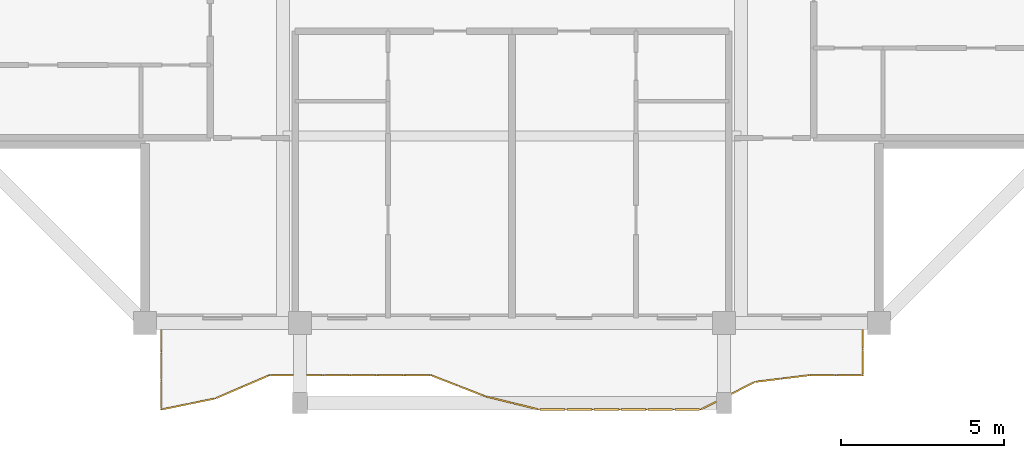
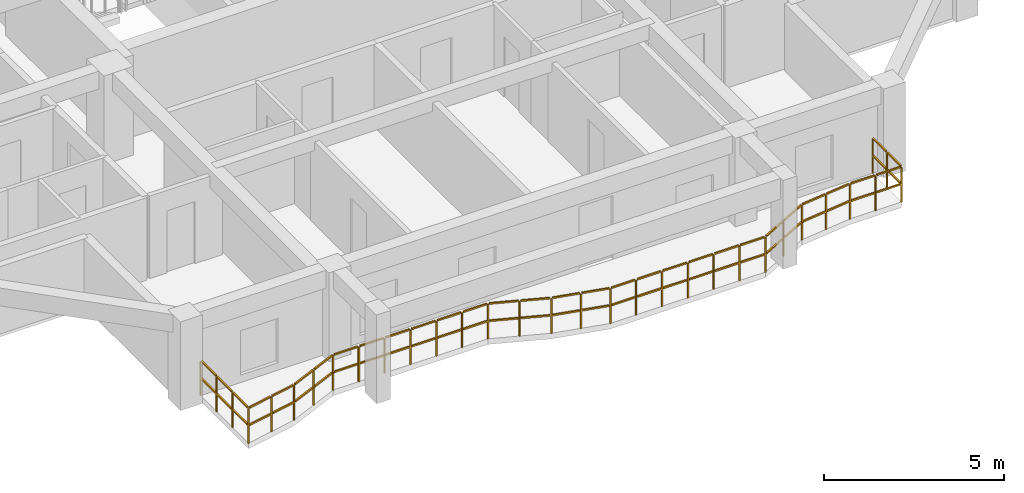
# One storey, part 10 of 14: 1 railing.
"""IFC4 building model written with IfcOpenShell, lengths in metres."""

from ifc_helpers import new_model, si_unit, direction, frame, origin, origin_2d, place, context, subcontext, project, spatial, rectangle, extrude, material, type_object, element, save


model = new_model("IFC4")

# Units and contexts
model_context = context("Model", 3, precision=1e-05, world=origin(), true_north=direction((0.0, 1.0)))
body_context = subcontext(model_context, "Body", "Model", "MODEL_VIEW")
ifc_project = project(units=[si_unit("LENGTHUNIT", "METRE"), si_unit("AREAUNIT", "SQUARE_METRE"), si_unit("VOLUMEUNIT", "CUBIC_METRE"), si_unit("PLANEANGLEUNIT", "RADIAN"), si_unit("MASSUNIT", "GRAM", prefix="KILO")], contexts=[model_context])

# Site, building, storey
site_placement = place(None, origin())
site = spatial("IfcSite", under=ifc_project, at=site_placement, CompositionType="ELEMENT")
building_placement = place(site_placement, origin())
building = spatial("IfcBuilding", under=site, at=building_placement, Name="Saelheon Loggia Tower", CompositionType="ELEMENT")
storey_placement = place(building_placement, frame((0.0, 0.0, 230.10009765625)))
storey = spatial("IfcBuildingStorey", under=building, at=storey_placement, Name="L71", CompositionType="ELEMENT", Elevation=230.10009765625)

# Railing
ifc_material = material(Name="Architectural Precast Concrete and Laminated Glass Guard", Category="concrete")
railing_type = type_object("IfcRailingType", Name="Guard_Loggia_RL_LOG", PredefinedType="BALUSTRADE", material=ifc_material)
railing_placement = place(storey_placement, frame((27.25, 6.0, 0.0)))
element("IfcRailing", 1, at=railing_placement, inside=storey, type_object=railing_type, Name="L71 South Loggia Balustrade", PredefinedType="BALUSTRADE", context=body_context, shape_type="SweptSolid", body=[
    extrude(rectangle(XDim=0.048095703125, YDim=0.048095703125, at=origin_2d()), frame((0.0, -0.033203125, 1.19580078125), z_axis=(0.0, -1.0, 0.0), x_axis=(1.0, 0.0, 0.0)), (0.0, 0.0, 1.0), 0.81689453125),
    extrude(rectangle(XDim=0.048095703125, YDim=0.048095703125, at=origin_2d()), frame((0.0, -0.033203125, 0.60986328125), z_axis=(0.0, -1.0, 0.0), x_axis=(1.0, 0.0, 0.0)), (0.0, 0.0, 1.0), 0.81689453125),
    extrude(rectangle(XDim=0.048095703125, YDim=0.048095703125, at=origin_2d()), frame((0.0, -0.91650390625, 1.19580078125), z_axis=(0.0, -1.0, 0.0), x_axis=(1.0, 0.0, 0.0)), (0.0, 0.0, 1.0), 0.81689453125),
    extrude(rectangle(XDim=0.048095703125, YDim=0.048095703125, at=origin_2d()), frame((0.0, -0.91650390625, 0.60986328125), z_axis=(0.0, -1.0, 0.0), x_axis=(1.0, 0.0, 0.0)), (0.0, 0.0, 1.0), 0.81689453125),
    extrude(rectangle(XDim=0.048095703125, YDim=0.048095703125, at=origin_2d()), frame((0.0, -1.7998046875, 1.19580078125), z_axis=(0.0, -1.0, 0.0), x_axis=(1.0, 0.0, 0.0)), (0.0, 0.0, 1.0), 0.81689453125),
    extrude(rectangle(XDim=0.048095703125, YDim=0.048095703125, at=origin_2d()), frame((0.0, -1.7998046875, 0.60986328125), z_axis=(0.0, -1.0, 0.0), x_axis=(1.0, 0.0, 0.0)), (0.0, 0.0, 1.0), 0.81689453125),
    extrude(rectangle(XDim=0.048095703125, YDim=0.048095703125, at=origin_2d()), frame((0.032470703125, -2.643310546875, 1.19580078125), z_axis=(0.979589560459, 0.201008191473, 0.0), x_axis=(-0.201008191473, 0.979589560459, 0.0)), (0.0, 0.0, 1.0), 0.777587890625),
    extrude(rectangle(XDim=0.048095703125, YDim=0.048095703125, at=origin_2d()), frame((0.032470703125, -2.643310546875, 0.60986328125), z_axis=(0.979589560459, 0.201008191473, 0.0), x_axis=(-0.201008191473, 0.979589560459, 0.0)), (0.0, 0.0, 1.0), 0.777587890625),
    extrude(rectangle(XDim=0.048095703125, YDim=0.048095703125, at=origin_2d()), frame((0.859375, -2.4736328125, 1.19580078125), z_axis=(0.979589560459, 0.201008191473, 0.0), x_axis=(-0.201008191473, 0.979589560459, 0.0)), (0.0, 0.0, 1.0), 0.777587890625),
    extrude(rectangle(XDim=0.048095703125, YDim=0.048095703125, at=origin_2d()), frame((0.859375, -2.4736328125, 0.60986328125), z_axis=(0.979589560459, 0.201008191473, 0.0), x_axis=(-0.201008191473, 0.979589560459, 0.0)), (0.0, 0.0, 1.0), 0.777587890625),
    extrude(rectangle(XDim=0.048095703125, YDim=0.048095703125, at=origin_2d()), frame((1.684326171875, -2.29736328125, 1.19580078125), z_axis=(0.918807939156, 0.39470491629, 0.0), x_axis=(-0.39470491629, 0.918807939156, 0.0)), (0.0, 0.0, 1.0), 0.83349609375),
    extrude(rectangle(XDim=0.048095703125, YDim=0.048095703125, at=origin_2d()), frame((1.684326171875, -2.29736328125, 0.60986328125), z_axis=(0.918807939156, 0.39470491629, 0.0), x_axis=(-0.39470491629, 0.918807939156, 0.0)), (0.0, 0.0, 1.0), 0.83349609375),
    extrude(rectangle(XDim=0.048095703125, YDim=0.048095703125, at=origin_2d()), frame((2.51123046875, -1.942138671875, 1.19580078125), z_axis=(0.918807939156, 0.39470491629, 0.0), x_axis=(-0.39470491629, 0.918807939156, 0.0)), (0.0, 0.0, 1.0), 0.83349609375),
    extrude(rectangle(XDim=0.048095703125, YDim=0.048095703125, at=origin_2d()), frame((2.51123046875, -1.942138671875, 0.60986328125), z_axis=(0.918807939156, 0.39470491629, 0.0), x_axis=(-0.39470491629, 0.918807939156, 0.0)), (0.0, 0.0, 1.0), 0.83349609375),
    extrude(rectangle(XDim=0.048095703125, YDim=0.048095703125, at=origin_2d()), frame((3.3408203125, -1.60009765625, 1.19580078125), z_axis=(1.0, 0.0, 0.0), x_axis=(0.0, 1.0, 0.0)), (0.0, 0.0, 1.0), 0.760498046875),
    extrude(rectangle(XDim=0.048095703125, YDim=0.048095703125, at=origin_2d()), frame((3.3408203125, -1.60009765625, 0.60986328125), z_axis=(1.0, 0.0, 0.0), x_axis=(0.0, 1.0, 0.0)), (0.0, 0.0, 1.0), 0.760498046875),
    extrude(rectangle(XDim=0.048095703125, YDim=0.048095703125, at=origin_2d()), frame((4.167724609375, -1.60009765625, 1.19580078125), z_axis=(1.0, 0.0, 0.0), x_axis=(0.0, 1.0, 0.0)), (0.0, 0.0, 1.0), 0.760498046875),
    extrude(rectangle(XDim=0.048095703125, YDim=0.048095703125, at=origin_2d()), frame((4.167724609375, -1.60009765625, 0.60986328125), z_axis=(1.0, 0.0, 0.0), x_axis=(0.0, 1.0, 0.0)), (0.0, 0.0, 1.0), 0.760498046875),
    extrude(rectangle(XDim=0.048095703125, YDim=0.048095703125, at=origin_2d()), frame((4.99462890625, -1.60009765625, 1.19580078125), z_axis=(1.0, 0.0, 0.0), x_axis=(0.0, 1.0, 0.0)), (0.0, 0.0, 1.0), 0.760498046875),
    extrude(rectangle(XDim=0.048095703125, YDim=0.048095703125, at=origin_2d()), frame((4.99462890625, -1.60009765625, 0.60986328125), z_axis=(1.0, 0.0, 0.0), x_axis=(0.0, 1.0, 0.0)), (0.0, 0.0, 1.0), 0.760498046875),
    extrude(rectangle(XDim=0.048095703125, YDim=0.048095703125, at=origin_2d()), frame((5.82177734375, -1.60009765625, 1.19580078125), z_axis=(1.0, 0.0, 0.0), x_axis=(0.0, 1.0, 0.0)), (0.0, 0.0, 1.0), 0.760498046875),
    extrude(rectangle(XDim=0.048095703125, YDim=0.048095703125, at=origin_2d()), frame((5.82177734375, -1.60009765625, 0.60986328125), z_axis=(1.0, 0.0, 0.0), x_axis=(0.0, 1.0, 0.0)), (0.0, 0.0, 1.0), 0.760498046875),
    extrude(rectangle(XDim=0.048095703125, YDim=0.048095703125, at=origin_2d()), frame((6.648681640625, -1.60009765625, 1.19580078125), z_axis=(1.0, 0.0, 0.0), x_axis=(0.0, 1.0, 0.0)), (0.0, 0.0, 1.0), 0.760498046875),
    extrude(rectangle(XDim=0.048095703125, YDim=0.048095703125, at=origin_2d()), frame((6.648681640625, -1.60009765625, 0.60986328125), z_axis=(1.0, 0.0, 0.0), x_axis=(0.0, 1.0, 0.0)), (0.0, 0.0, 1.0), 0.760498046875),
    extrude(rectangle(XDim=0.048095703125, YDim=0.048095703125, at=origin_2d()), frame((7.4755859375, -1.60009765625, 1.19580078125), z_axis=(1.0, 0.0, 0.0), x_axis=(0.0, 1.0, 0.0)), (0.0, 0.0, 1.0), 0.760498046875),
    extrude(rectangle(XDim=0.048095703125, YDim=0.048095703125, at=origin_2d()), frame((7.4755859375, -1.60009765625, 0.60986328125), z_axis=(1.0, 0.0, 0.0), x_axis=(0.0, 1.0, 0.0)), (0.0, 0.0, 1.0), 0.760498046875),
    extrude(rectangle(XDim=0.048095703125, YDim=0.048095703125, at=origin_2d()), frame((8.30029296875, -1.612060546875, 1.19580078125), z_axis=(0.931880695879, -0.362764894454, 0.0), x_axis=(0.362764894454, 0.931880695879, 0.0)), (0.0, 0.0, 1.0), 0.82080078125),
    extrude(rectangle(XDim=0.048095703125, YDim=0.048095703125, at=origin_2d()), frame((8.30029296875, -1.612060546875, 0.60986328125), z_axis=(0.931880695879, -0.362764894454, 0.0), x_axis=(0.362764894454, 0.931880695879, 0.0)), (0.0, 0.0, 1.0), 0.82080078125),
    extrude(rectangle(XDim=0.048095703125, YDim=0.048095703125, at=origin_2d()), frame((9.127197265625, -1.93408203125, 1.19580078125), z_axis=(0.931880695879, -0.362764894454, 0.0), x_axis=(0.362764894454, 0.931880695879, 0.0)), (0.0, 0.0, 1.0), 0.82080078125),
    extrude(rectangle(XDim=0.048095703125, YDim=0.048095703125, at=origin_2d()), frame((9.127197265625, -1.93408203125, 0.60986328125), z_axis=(0.931880695879, -0.362764894454, 0.0), x_axis=(0.362764894454, 0.931880695879, 0.0)), (0.0, 0.0, 1.0), 0.82080078125),
    extrude(rectangle(XDim=0.048095703125, YDim=0.048095703125, at=origin_2d()), frame((9.955322265625, -2.251708984375, 1.19580078125), z_axis=(0.971162634312, -0.238417989498, 0.0), x_axis=(0.238417989498, 0.971162634312, 0.0)), (0.0, 0.0, 1.0), 0.784912109375),
    extrude(rectangle(XDim=0.048095703125, YDim=0.048095703125, at=origin_2d()), frame((9.955322265625, -2.251708984375, 0.60986328125), z_axis=(0.971162634312, -0.238417989498, 0.0), x_axis=(0.238417989498, 0.971162634312, 0.0)), (0.0, 0.0, 1.0), 0.784912109375),
    extrude(rectangle(XDim=0.048095703125, YDim=0.048095703125, at=origin_2d()), frame((10.7822265625, -2.454833984375, 1.19580078125), z_axis=(0.971162634312, -0.238417989498, 0.0), x_axis=(0.238417989498, 0.971162634312, 0.0)), (0.0, 0.0, 1.0), 0.784912109375),
    extrude(rectangle(XDim=0.048095703125, YDim=0.048095703125, at=origin_2d()), frame((10.7822265625, -2.454833984375, 0.60986328125), z_axis=(0.971162634312, -0.238417989498, 0.0), x_axis=(0.238417989498, 0.971162634312, 0.0)), (0.0, 0.0, 1.0), 0.784912109375),
    extrude(rectangle(XDim=0.048095703125, YDim=0.048095703125, at=origin_2d()), frame((11.610107421875, -2.64990234375, 1.19580078125), z_axis=(1.0, 0.0, 0.0), x_axis=(0.0, 1.0, 0.0)), (0.0, 0.0, 1.0), 0.760498046875),
    extrude(rectangle(XDim=0.048095703125, YDim=0.048095703125, at=origin_2d()), frame((11.610107421875, -2.64990234375, 0.60986328125), z_axis=(1.0, 0.0, 0.0), x_axis=(0.0, 1.0, 0.0)), (0.0, 0.0, 1.0), 0.760498046875),
    extrude(rectangle(XDim=0.048095703125, YDim=0.048095703125, at=origin_2d()), frame((12.43701171875, -2.64990234375, 1.19580078125), z_axis=(1.0, 0.0, 0.0), x_axis=(0.0, 1.0, 0.0)), (0.0, 0.0, 1.0), 0.760498046875),
    extrude(rectangle(XDim=0.048095703125, YDim=0.048095703125, at=origin_2d()), frame((12.43701171875, -2.64990234375, 0.60986328125), z_axis=(1.0, 0.0, 0.0), x_axis=(0.0, 1.0, 0.0)), (0.0, 0.0, 1.0), 0.760498046875),
    extrude(rectangle(XDim=0.048095703125, YDim=0.048095703125, at=origin_2d()), frame((13.263916015625, -2.64990234375, 1.19580078125), z_axis=(1.0, 0.0, 0.0), x_axis=(0.0, 1.0, 0.0)), (0.0, 0.0, 1.0), 0.760498046875),
    extrude(rectangle(XDim=0.048095703125, YDim=0.048095703125, at=origin_2d()), frame((13.263916015625, -2.64990234375, 0.60986328125), z_axis=(1.0, 0.0, 0.0), x_axis=(0.0, 1.0, 0.0)), (0.0, 0.0, 1.0), 0.760498046875),
    extrude(rectangle(XDim=0.048095703125, YDim=0.048095703125, at=origin_2d()), frame((14.0908203125, -2.64990234375, 1.19580078125), z_axis=(1.0, 0.0, 0.0), x_axis=(0.0, 1.0, 0.0)), (0.0, 0.0, 1.0), 0.760498046875),
    extrude(rectangle(XDim=0.048095703125, YDim=0.048095703125, at=origin_2d()), frame((14.0908203125, -2.64990234375, 0.60986328125), z_axis=(1.0, 0.0, 0.0), x_axis=(0.0, 1.0, 0.0)), (0.0, 0.0, 1.0), 0.760498046875),
    extrude(rectangle(XDim=0.048095703125, YDim=0.048095703125, at=origin_2d()), frame((14.917724609375, -2.64990234375, 1.19580078125), z_axis=(1.0, 0.0, 0.0), x_axis=(0.0, 1.0, 0.0)), (0.0, 0.0, 1.0), 0.760498046875),
    extrude(rectangle(XDim=0.048095703125, YDim=0.048095703125, at=origin_2d()), frame((14.917724609375, -2.64990234375, 0.60986328125), z_axis=(1.0, 0.0, 0.0), x_axis=(0.0, 1.0, 0.0)), (0.0, 0.0, 1.0), 0.760498046875),
    extrude(rectangle(XDim=0.048095703125, YDim=0.048095703125, at=origin_2d()), frame((15.744873046875, -2.64990234375, 1.19580078125), z_axis=(1.0, 0.0, 0.0), x_axis=(0.0, 1.0, 0.0)), (0.0, 0.0, 1.0), 0.760498046875),
    extrude(rectangle(XDim=0.048095703125, YDim=0.048095703125, at=origin_2d()), frame((15.744873046875, -2.64990234375, 0.60986328125), z_axis=(1.0, 0.0, 0.0), x_axis=(0.0, 1.0, 0.0)), (0.0, 0.0, 1.0), 0.760498046875),
    extrude(rectangle(XDim=0.048095703125, YDim=0.048095703125, at=origin_2d()), frame((16.568115234375, -2.634765625, 1.19580078125), z_axis=(0.890448887114, 0.455083266488, 0.0), x_axis=(-0.455083266488, 0.890448887114, 0.0)), (0.0, 0.0, 1.0), 0.862060546875),
    extrude(rectangle(XDim=0.048095703125, YDim=0.048095703125, at=origin_2d()), frame((16.568115234375, -2.634765625, 0.60986328125), z_axis=(0.890448887114, 0.455083266488, 0.0), x_axis=(-0.455083266488, 0.890448887114, 0.0)), (0.0, 0.0, 1.0), 0.862060546875),
    extrude(rectangle(XDim=0.048095703125, YDim=0.048095703125, at=origin_2d()), frame((17.39501953125, -2.212158203125, 1.19580078125), z_axis=(0.890448887114, 0.455083266488, 0.0), x_axis=(-0.455083266488, 0.890448887114, 0.0)), (0.0, 0.0, 1.0), 0.862060546875),
    extrude(rectangle(XDim=0.048095703125, YDim=0.048095703125, at=origin_2d()), frame((17.39501953125, -2.212158203125, 0.60986328125), z_axis=(0.890448887114, 0.455083266488, 0.0), x_axis=(-0.455083266488, 0.890448887114, 0.0)), (0.0, 0.0, 1.0), 0.862060546875),
    extrude(rectangle(XDim=0.048095703125, YDim=0.048095703125, at=origin_2d()), frame((18.225341796875, -1.800537109375, 1.19580078125), z_axis=(0.99243485013, 0.122772424625, 0.0), x_axis=(-0.122772424625, 0.99243485013, 0.0)), (0.0, 0.0, 1.0), 0.766845703125),
    extrude(rectangle(XDim=0.048095703125, YDim=0.048095703125, at=origin_2d()), frame((18.225341796875, -1.800537109375, 0.60986328125), z_axis=(0.99243485013, 0.122772424625, 0.0), x_axis=(-0.122772424625, 0.99243485013, 0.0)), (0.0, 0.0, 1.0), 0.766845703125),
    extrude(rectangle(XDim=0.048095703125, YDim=0.048095703125, at=origin_2d()), frame((19.05224609375, -1.6982421875, 1.19580078125), z_axis=(0.99243485013, 0.122772424625, 0.0), x_axis=(-0.122772424625, 0.99243485013, 0.0)), (0.0, 0.0, 1.0), 0.766845703125),
    extrude(rectangle(XDim=0.048095703125, YDim=0.048095703125, at=origin_2d()), frame((19.05224609375, -1.6982421875, 0.60986328125), z_axis=(0.99243485013, 0.122772424625, 0.0), x_axis=(-0.122772424625, 0.99243485013, 0.0)), (0.0, 0.0, 1.0), 0.766845703125),
    extrude(rectangle(XDim=0.048095703125, YDim=0.048095703125, at=origin_2d()), frame((19.87939453125, -1.60009765625, 1.19580078125), z_axis=(1.0, 0.0, 0.0), x_axis=(0.0, 1.0, 0.0)), (0.0, 0.0, 1.0), 0.760498046875),
    extrude(rectangle(XDim=0.048095703125, YDim=0.048095703125, at=origin_2d()), frame((19.87939453125, -1.60009765625, 0.60986328125), z_axis=(1.0, 0.0, 0.0), x_axis=(0.0, 1.0, 0.0)), (0.0, 0.0, 1.0), 0.760498046875),
    extrude(rectangle(XDim=0.048095703125, YDim=0.048095703125, at=origin_2d()), frame((20.706298828125, -1.60009765625, 1.19580078125), z_axis=(1.0, 0.0, 0.0), x_axis=(0.0, 1.0, 0.0)), (0.0, 0.0, 1.0), 0.760498046875),
    extrude(rectangle(XDim=0.048095703125, YDim=0.048095703125, at=origin_2d()), frame((20.706298828125, -1.60009765625, 0.60986328125), z_axis=(1.0, 0.0, 0.0), x_axis=(0.0, 1.0, 0.0)), (0.0, 0.0, 1.0), 0.760498046875),
    extrude(rectangle(XDim=0.048095703125, YDim=0.048095703125, at=origin_2d()), frame((21.5, -1.56689453125, 1.19580078125), z_axis=(0.0, 1.0, 0.0), x_axis=(-1.0, 0.0, 0.0)), (0.0, 0.0, 1.0), 0.733642578125),
    extrude(rectangle(XDim=0.048095703125, YDim=0.048095703125, at=origin_2d()), frame((21.5, -1.56689453125, 0.60986328125), z_axis=(0.0, 1.0, 0.0), x_axis=(-1.0, 0.0, 0.0)), (0.0, 0.0, 1.0), 0.733642578125),
    extrude(rectangle(XDim=0.048095703125, YDim=0.048095703125, at=origin_2d()), frame((21.5, -0.766845703125, 1.19580078125), z_axis=(0.0, 1.0, 0.0), x_axis=(-1.0, 0.0, 0.0)), (0.0, 0.0, 1.0), 0.733642578125),
    extrude(rectangle(XDim=0.048095703125, YDim=0.048095703125, at=origin_2d()), frame((21.5, -0.766845703125, 0.60986328125), z_axis=(0.0, 1.0, 0.0), x_axis=(-1.0, 0.0, 0.0)), (0.0, 0.0, 1.0), 0.733642578125),
    extrude(rectangle(XDim=0.0419921875, YDim=0.0419921875, at=origin_2d()), origin(), (0.0, 0.0, 1.0), 1.16796875),
    extrude(rectangle(XDim=0.0419921875, YDim=0.0419921875, at=origin_2d()), frame((0.0, -0.88330078125, 0.0)), (0.0, 0.0, 1.0), 1.16796875),
    extrude(rectangle(XDim=0.0419921875, YDim=0.0419921875, at=origin_2d()), frame((0.0, -1.7666015625, 0.0)), (0.0, 0.0, 1.0), 1.16796875),
    extrude(rectangle(XDim=0.0419921875, YDim=0.0419921875, at=origin_2d()), frame((0.0, -2.64990234375, 0.0)), (0.0, 0.0, 1.0), 1.16796875),
    extrude(rectangle(XDim=0.0419921875, YDim=0.0419921875, at=origin_2d()), frame((0.826904296875, -2.480224609375, 0.0)), (0.0, 0.0, 1.0), 1.16796875),
    extrude(rectangle(XDim=0.0419921875, YDim=0.0419921875, at=origin_2d()), frame((1.65380859375, -2.310546875, 0.0)), (0.0, 0.0, 1.0), 1.16796875),
    extrude(rectangle(XDim=0.0419921875, YDim=0.0419921875, at=origin_2d()), frame((2.480712890625, -1.955322265625, 0.0)), (0.0, 0.0, 1.0), 1.16796875),
    extrude(rectangle(XDim=0.0419921875, YDim=0.0419921875, at=origin_2d()), frame((3.3076171875, -1.60009765625, 0.0)), (0.0, 0.0, 1.0), 1.16796875),
    extrude(rectangle(XDim=0.0419921875, YDim=0.0419921875, at=origin_2d()), frame((4.134521484375, -1.60009765625, 0.0)), (0.0, 0.0, 1.0), 1.16796875),
    extrude(rectangle(XDim=0.0419921875, YDim=0.0419921875, at=origin_2d()), frame((4.96142578125, -1.60009765625, 0.0)), (0.0, 0.0, 1.0), 1.16796875),
    extrude(rectangle(XDim=0.0419921875, YDim=0.0419921875, at=origin_2d()), frame((5.78857421875, -1.60009765625, 0.0)), (0.0, 0.0, 1.0), 1.16796875),
    extrude(rectangle(XDim=0.0419921875, YDim=0.0419921875, at=origin_2d()), frame((6.615478515625, -1.60009765625, 0.0)), (0.0, 0.0, 1.0), 1.16796875),
    extrude(rectangle(XDim=0.0419921875, YDim=0.0419921875, at=origin_2d()), frame((7.4423828125, -1.60009765625, 0.0)), (0.0, 0.0, 1.0), 1.16796875),
    extrude(rectangle(XDim=0.0419921875, YDim=0.0419921875, at=origin_2d()), frame((8.269287109375, -1.60009765625, 0.0)), (0.0, 0.0, 1.0), 1.16796875),
    extrude(rectangle(XDim=0.0419921875, YDim=0.0419921875, at=origin_2d()), frame((9.09619140625, -1.921875, 0.0)), (0.0, 0.0, 1.0), 1.16796875),
    extrude(rectangle(XDim=0.0419921875, YDim=0.0419921875, at=origin_2d()), frame((9.923095703125, -2.243896484375, 0.0)), (0.0, 0.0, 1.0), 1.16796875),
    extrude(rectangle(XDim=0.0419921875, YDim=0.0419921875, at=origin_2d()), frame((10.75, -2.44677734375, 0.0)), (0.0, 0.0, 1.0), 1.16796875),
    extrude(rectangle(XDim=0.0419921875, YDim=0.0419921875, at=origin_2d()), frame((11.576904296875, -2.64990234375, 0.0)), (0.0, 0.0, 1.0), 1.16796875),
    extrude(rectangle(XDim=0.0419921875, YDim=0.0419921875, at=origin_2d()), frame((12.40380859375, -2.64990234375, 0.0)), (0.0, 0.0, 1.0), 1.16796875),
    extrude(rectangle(XDim=0.0419921875, YDim=0.0419921875, at=origin_2d()), frame((13.230712890625, -2.64990234375, 0.0)), (0.0, 0.0, 1.0), 1.16796875),
    extrude(rectangle(XDim=0.0419921875, YDim=0.0419921875, at=origin_2d()), frame((14.0576171875, -2.64990234375, 0.0)), (0.0, 0.0, 1.0), 1.16796875),
    extrude(rectangle(XDim=0.0419921875, YDim=0.0419921875, at=origin_2d()), frame((14.884521484375, -2.64990234375, 0.0)), (0.0, 0.0, 1.0), 1.16796875),
    extrude(rectangle(XDim=0.0419921875, YDim=0.0419921875, at=origin_2d()), frame((15.71142578125, -2.64990234375, 0.0)), (0.0, 0.0, 1.0), 1.16796875),
    extrude(rectangle(XDim=0.0419921875, YDim=0.0419921875, at=origin_2d()), frame((16.53857421875, -2.64990234375, 0.0)), (0.0, 0.0, 1.0), 1.16796875),
    extrude(rectangle(XDim=0.0419921875, YDim=0.0419921875, at=origin_2d()), frame((17.365478515625, -2.227294921875, 0.0)), (0.0, 0.0, 1.0), 1.16796875),
    extrude(rectangle(XDim=0.0419921875, YDim=0.0419921875, at=origin_2d()), frame((18.1923828125, -1.8046875, 0.0)), (0.0, 0.0, 1.0), 1.16796875),
    extrude(rectangle(XDim=0.0419921875, YDim=0.0419921875, at=origin_2d()), frame((19.019287109375, -1.702392578125, 0.0)), (0.0, 0.0, 1.0), 1.16796875),
    extrude(rectangle(XDim=0.0419921875, YDim=0.0419921875, at=origin_2d()), frame((19.84619140625, -1.60009765625, 0.0)), (0.0, 0.0, 1.0), 1.16796875),
    extrude(rectangle(XDim=0.0419921875, YDim=0.0419921875, at=origin_2d()), frame((20.673095703125, -1.60009765625, 0.0)), (0.0, 0.0, 1.0), 1.16796875),
    extrude(rectangle(XDim=0.0419921875, YDim=0.0419921875, at=origin_2d()), frame((21.5, -1.60009765625, 0.0)), (0.0, 0.0, 1.0), 1.16796875),
    extrude(rectangle(XDim=0.0419921875, YDim=0.0419921875, at=origin_2d()), frame((21.5, -0.800048828125, 0.0)), (0.0, 0.0, 1.0), 1.16796875),
    extrude(rectangle(XDim=0.0419921875, YDim=0.0419921875, at=origin_2d()), frame((21.5, 0.0, 0.0)), (0.0, 0.0, 1.0), 1.16796875),
])

save(model, "model.ifc")
